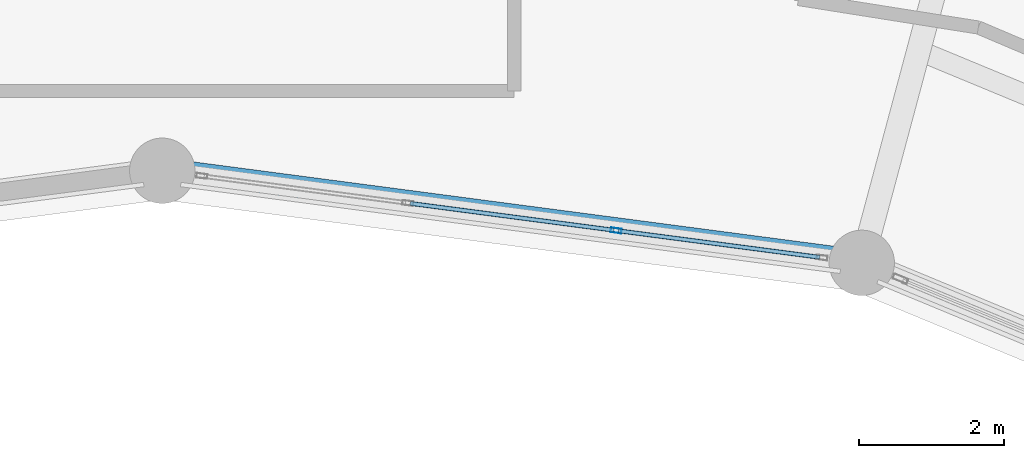
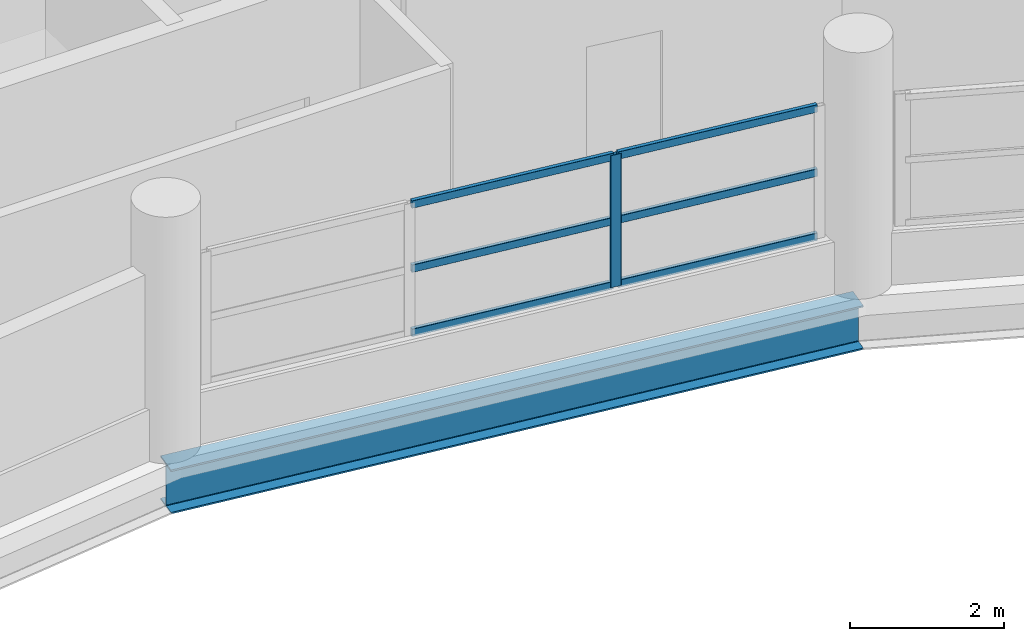
# One storey, part 51 of 88: 7 members, 1 beam, 1 element without a shape of its own.
"""IFC4 building model written with IfcOpenShell, lengths in metres."""

import ifcopenshell
import ifcopenshell.guid

model = None  # the IFC model being written
_history = None  # IfcOwnerHistory: only IFC2X3 demands one
_inside = {}  # id of a spatial element -> (the spatial element, [elements in it])
_under = {}  # id of a project, library or spatial element -> (it, [spatial elements below it])
_declared = {}  # id of a project -> (the project, [libraries it declares])
_typed = {}  # id of a type object -> (the type object, [elements of that type])
_made_of = {}  # id of a material, layer set ... -> (it, [elements and type objects made of it])


def new_model(schema):
    """Start an empty IFC model of exactly this schema.

    Asked for "IFC4X3", IfcOpenShell would pick the latest addendum, in which some entities
    have other attributes; the version numbers below select the first issue.
    IFC2X3 requires an IfcOwnerHistory on every rooted entity: one is made here for all.
    """
    global model, _history
    if schema == "IFC4X3":
        model = ifcopenshell.file(schema_version=(4, 3, 0, 0))
    else:
        model = ifcopenshell.file(schema=schema)
    _inside.clear()
    _under.clear()
    _declared.clear()
    _typed.clear()
    _made_of.clear()
    _history = None
    if model.schema == "IFC2X3":
        org = make("IfcOrganization", Name="unknown")
        user = make(
            "IfcPersonAndOrganization",
            ThePerson=make("IfcPerson", FamilyName="unknown"),
            TheOrganization=org,
        )
        app = make(
            "IfcApplication",
            ApplicationDeveloper=org,
            Version="unknown",
            ApplicationFullName="unknown",
            ApplicationIdentifier="unknown",
        )
        _history = make(
            "IfcOwnerHistory",
            OwningUser=user,
            OwningApplication=app,
            ChangeAction="ADDED",
            CreationDate=0,
        )
    return model


def make(cls, **values):
    """One entity of the class cls with the attributes given. An attribute that is None is left unset."""
    return model.create_entity(
        cls, **{name: value for name, value in values.items() if value is not None}
    )


def rooted(cls, **values):
    """An entity with a GlobalId (a new one), such as an element, a storey or a relation."""
    return make(cls, GlobalId=ifcopenshell.guid.new(), OwnerHistory=_history, **values)


def si_unit(unit_type, name, prefix=None):
    """IfcSIUnit, for example si_unit("LENGTHUNIT", "METRE", prefix="MILLI")."""
    return make("IfcSIUnit", UnitType=unit_type, Prefix=prefix, Name=name)


def assignment(units):
    """IfcUnitAssignment: the units of a project."""
    return None if units is None else make("IfcUnitAssignment", Units=units)


def point(xyz):
    """IfcCartesianPoint."""
    return None if xyz is None else make("IfcCartesianPoint", Coordinates=xyz)


def direction(xyz):
    """IfcDirection."""
    return None if xyz is None else make("IfcDirection", DirectionRatios=xyz)


def frame(location, z_axis=None, x_axis=None):
    """IfcAxis2Placement3D, a coordinate frame: its origin and axes. An axis left out is left unset."""
    return make(
        "IfcAxis2Placement3D",
        Location=point(location),
        Axis=direction(z_axis),
        RefDirection=direction(x_axis),
    )


def frame_2d(location, x_axis=None):
    """IfcAxis2Placement2D, a coordinate frame in the plane: its origin and x axis."""
    return make(
        "IfcAxis2Placement2D", Location=point(location), RefDirection=direction(x_axis)
    )


def origin():
    """The frame at (0, 0, 0) with its axes left unset."""
    return frame((0.0, 0.0, 0.0))


def origin_2d():
    """The frame at (0, 0) in the plane with its x axis left unset."""
    return frame_2d((0.0, 0.0))


def place(relative_to, where):
    """IfcLocalPlacement: puts the frame where relative to a parent placement (None: the world)."""
    return make(
        "IfcLocalPlacement", PlacementRelTo=relative_to, RelativePlacement=where
    )


def context(
    kind, dimensions, precision=None, world=None, true_north=None, identifier=None
):
    """IfcGeometricRepresentationContext, for example the 3D "Model" context."""
    return make(
        "IfcGeometricRepresentationContext",
        ContextIdentifier=identifier,
        ContextType=kind,
        CoordinateSpaceDimension=dimensions,
        Precision=precision,
        WorldCoordinateSystem=world,
        TrueNorth=true_north,
    )


def subcontext(parent, identifier, kind, view, scale=None):
    """IfcGeometricRepresentationSubContext, for example "Body" below "Model"."""
    return make(
        "IfcGeometricRepresentationSubContext",
        ContextIdentifier=identifier,
        ContextType=kind,
        ParentContext=parent,
        TargetScale=scale,
        TargetView=view,
    )


def project(units=None, contexts=None):
    """IfcProject with its units and contexts."""
    return rooted(
        "IfcProject",
        Name="project",
        RepresentationContexts=contexts,
        UnitsInContext=assignment(units),
    )


def spatial(cls, under=None, at=None, **own):
    """A site, building, storey or space (cls), placed at a placement, below another one or the project."""
    s = rooted(cls, ObjectPlacement=at, **own)
    if under is not None:
        _under.setdefault(under.id(), (under, []))[1].append(s)
    return s


def profile(cls, at=None, kind="AREA", **sizes):
    """A parametric profile (cls). Its sizes go by their IFC names, for example OverallWidth=200.0."""
    return make(cls, ProfileType=kind, Position=at, **sizes)


def hollow_rectangle(**sizes):
    """IfcRectangleHollowProfileDef."""
    return profile("IfcRectangleHollowProfileDef", **sizes)


def i_section(**sizes):
    """IfcIShapeProfileDef."""
    return profile("IfcIShapeProfileDef", **sizes)


def extrude(swept, where, along, depth):
    """IfcExtrudedAreaSolid: the profile swept, set in the frame where, extruded along a direction by depth."""
    return make(
        "IfcExtrudedAreaSolid",
        SweptArea=swept,
        Position=where,
        ExtrudedDirection=direction(along),
        Depth=depth,
    )


def shape(context_of_items, identifier, shape_type, items):
    """IfcShapeRepresentation: the items that make up one representation, for example the "Body"."""
    return make(
        "IfcShapeRepresentation",
        ContextOfItems=context_of_items,
        RepresentationIdentifier=identifier,
        RepresentationType=shape_type,
        Items=items,
    )


def material(Name=None, Category=None):
    """IfcMaterial."""
    return make("IfcMaterial", Name=Name, Category=Category)


def layer(
    of_material, thickness, ventilated=None, Name=None, Category=None, Priority=None
):
    """IfcMaterialLayer: one layer of a wall or slab, of a material (None: an air gap)."""
    return make(
        "IfcMaterialLayer",
        Material=of_material,
        LayerThickness=thickness,
        IsVentilated=ventilated,
        Name=Name,
        Category=Category,
        Priority=Priority,
    )


def layer_set(layers, Name=None):
    """IfcMaterialLayerSet."""
    return make("IfcMaterialLayerSet", MaterialLayers=layers, LayerSetName=Name)


def material_profile(
    of_material, cross_section, Name=None, Category=None, Priority=None
):
    """IfcMaterialProfile: a cross section and its material."""
    return make(
        "IfcMaterialProfile",
        Name=Name,
        Material=of_material,
        Profile=cross_section,
        Priority=Priority,
        Category=Category,
    )


def profile_set(profiles, Name=None, composite=None):
    """IfcMaterialProfileSet."""
    return make(
        "IfcMaterialProfileSet",
        Name=Name,
        MaterialProfiles=profiles,
        CompositeProfile=composite,
    )


def made_of(thing, what):
    """Note that an element or type object is made of a material, layer set ...; save() writes the relation."""
    if what is not None:
        _made_of.setdefault(what.id(), (what, []))[1].append(thing)
    return thing


def type_object(cls, material=None, **own):
    """A type object (cls), such as IfcWallType, which elements share."""
    return made_of(rooted(cls, **own), material)


def element(
    cls,
    number,
    at=None,
    inside=None,
    cuts=None,
    type_object=None,
    material=None,
    context=None,
    identifier="Body",
    shape_type=None,
    held_by="IfcProductDefinitionShape",
    body=None,
    shapes=None,
    **own,
):
    """One element of the class cls, such as IfcWall. Its Tag is "e" and its number.

    at: its placement. inside: the storey or other place that contains it. cuts: it is an
    opening in that element (IfcRelVoidsElement). A single representation is given by context,
    identifier, shape_type and body (its items); several are given by shapes. held_by: the class
    of the entity that holds the representations. save() writes the other relations.
    """
    e = rooted(cls, Tag="e%d" % number, ObjectPlacement=at, **own)
    if body is not None:
        shapes = [shape(context, identifier, shape_type, body)]
    if shapes is not None:
        e.Representation = make(held_by, Representations=shapes)
    if inside is not None:
        _inside.setdefault(inside.id(), (inside, []))[1].append(e)
    if cuts is not None:
        rooted(
            "IfcRelVoidsElement", RelatingBuildingElement=cuts, RelatedOpeningElement=e
        )
    if type_object is not None:
        _typed.setdefault(type_object.id(), (type_object, []))[1].append(e)
    return made_of(e, material)


def aggregate(whole, parts):
    """IfcRelAggregates: a whole, such as a stair, and the parts it consists of."""
    return rooted("IfcRelAggregates", RelatingObject=whole, RelatedObjects=parts)


def save(model, path):
    """Write the relations noted so far, then the file.

    IfcRelAggregates (storeys below a building ...), IfcRelContainedInSpatialStructure (elements
    in a storey), IfcRelDefinesByType, IfcRelAssociatesMaterial and IfcRelDeclares: one each for
    every whole, place, type object, material and project.
    """
    for whole, parts in _under.values():
        aggregate(whole, parts)
    for where, things in _inside.values():
        rooted(
            "IfcRelContainedInSpatialStructure",
            RelatedElements=things,
            RelatingStructure=where,
        )
    for kind, things in _typed.values():
        rooted("IfcRelDefinesByType", RelatedObjects=things, RelatingType=kind)
    for what, things in _made_of.values():
        rooted("IfcRelAssociatesMaterial", RelatedObjects=things, RelatingMaterial=what)
    for by, libraries in _declared.values():
        rooted("IfcRelDeclares", RelatingContext=by, RelatedDefinitions=libraries)
    model.write(path)


model = new_model("IFC4")

# Units and contexts
model_context = context("Model", 3, precision=1e-05, world=origin(), true_north=direction((0.0, 1.0)))
body_context = subcontext(model_context, "Body", "Model", "MODEL_VIEW")
ifc_project = project(units=[si_unit("LENGTHUNIT", "METRE"), si_unit("AREAUNIT", "SQUARE_METRE"), si_unit("VOLUMEUNIT", "CUBIC_METRE"), si_unit("PLANEANGLEUNIT", "RADIAN"), si_unit("MASSUNIT", "GRAM", prefix="KILO")], contexts=[model_context])

# Site, building, storey
site_placement = place(None, origin())
site = spatial("IfcSite", under=ifc_project, at=site_placement, CompositionType="ELEMENT")
building_placement = place(site_placement, origin())
building = spatial("IfcBuilding", under=site, at=building_placement, Name="Vespera Passage Community Centre", CompositionType="ELEMENT")
storey_placement = place(building_placement, frame((0.0, 0.0, 16.5)))
storey = spatial("IfcBuildingStorey", under=building, at=storey_placement, Name="L04", CompositionType="ELEMENT", Elevation=16.5)

# Beam
ifc_material_1 = material(Name="Steel ASTM A992 Grade 50", Category="steel")
ifc_material_profile_1 = material_profile(ifc_material_1, i_section(OverallWidth=0.3544921875, OverallDepth=0.695556640625, WebThickness=0.015380859375, FlangeThickness=0.024658203125, FilletRadius=0.01513671875, at=origin_2d()), Name="W27X146")
ifc_profile_set_1 = profile_set([ifc_material_profile_1], Name="Steel ASTM A992 Grade 50")
beam_type = type_object("IfcBeamType", Name="BM-SP-W27X146E", PredefinedType="SPANDREL", material=ifc_profile_set_1)
beam_placement = place(storey_placement, frame((87.628173828125, 101.432373046875, -0.647705078125), z_axis=(-0.991444794834, 0.130526697639, 0.0), x_axis=(-0.130526697639, -0.991444794834, 0.0)))
element("IfcBeam", 1, at=beam_placement, inside=storey, type_object=beam_type, Name="V4 L04 Inner Spandrel 5", PredefinedType="SPANDREL", context=body_context, shape_type="SweptSolid", body=[
    extrude(i_section(OverallWidth=0.3544921875, OverallDepth=0.695556640625, WebThickness=0.015380859375, FlangeThickness=0.024658203125, FilletRadius=0.01513671875, at=origin_2d()), origin(), (0.0, 0.0, 1.0), 9.711181640625),
])

# Curtain wall, members
ifc_material_2 = material(Name="Anodized aluminium 6063-T6", Category="aluminium")
ifc_layer = layer(ifc_material_2, 0.159912109375)
ifc_layer_set = layer_set([ifc_layer], Name="Anodized aluminium 6063-T6")
curtain_wall_type = type_object("IfcCurtainWallType", Name="CW-58E", PredefinedType="NOTDEFINED", material=ifc_layer_set)
curtain_wall_placement = place(storey_placement, origin())
curtain_wall = element("IfcCurtainWall", 2, at=curtain_wall_placement, inside=storey, type_object=curtain_wall_type, Name="V4 L04 Inner Court Curtain Wall 5", PredefinedType="NOTDEFINED")
ifc_material_3 = material(Name="Anodized aluminium 6063-T6", Category="aluminium")
ifc_material_profile_2 = material_profile(ifc_material_3, hollow_rectangle(XDim=0.06494140625, YDim=0.14990234375, WallThickness=0.00390625, InnerFilletRadius=0.001953125, OuterFilletRadius=0.00390625, at=origin_2d()), Name="ALU150X65X4")
ifc_profile_set_2 = profile_set([ifc_material_profile_2], Name="Anodized aluminium 6063-T6")
member_type_1 = type_object("IfcMemberType", Name="MB-CWM-150E", PredefinedType="MULLION", material=ifc_profile_set_2)
member_1_placement = place(storey_placement, frame((84.24755859375, 101.87744140625, 0.820068359375), z_axis=(0.0, 0.0, 1.0), x_axis=(-0.1305221941, -0.991445387728, 0.0)))
member_1 = element("IfcMember", 3, at=member_1_placement, type_object=member_type_1, Name="CW-58E mullion 2", PredefinedType="MULLION", context=body_context, shape_type="SweptSolid", body=[
    extrude(hollow_rectangle(XDim=0.06494140625, YDim=0.14990234375, WallThickness=0.00390625, InnerFilletRadius=0.001953125, OuterFilletRadius=0.00390625, at=origin_2d()), origin(), (0.0, 0.0, 1.0), 2.08935546875),
])
ifc_material_4 = material(Name="Anodized aluminium 6063-T6", Category="aluminium")
ifc_material_profile_3 = material_profile(ifc_material_4, hollow_rectangle(XDim=0.06005859375, YDim=0.1201171875, WallThickness=0.00390625, InnerFilletRadius=0.001953125, OuterFilletRadius=0.00390625, at=origin_2d()), Name="ALU120X60X4")
ifc_profile_set_3 = profile_set([ifc_material_profile_3], Name="Anodized aluminium 6063-T6")
member_type_2 = type_object("IfcMemberType", Name="MB-CWT-120E", PredefinedType="USERDEFINED", material=ifc_profile_set_3)
member_2_placement = place(storey_placement, frame((87.050537109375, 101.508544921875, 0.85009765625), z_axis=(-0.991446265366, 0.130515527399, 0.0), x_axis=(-0.130515527399, -0.991446265366, 0.0)))
member_2 = element("IfcMember", 4, at=member_2_placement, type_object=member_type_2, Name="CW-58E transom 1.1", ObjectType="TRANSOM", PredefinedType="USERDEFINED", context=body_context, shape_type="SweptSolid", body=[
    extrude(hollow_rectangle(XDim=0.06005859375, YDim=0.1201171875, WallThickness=0.00390625, InnerFilletRadius=0.001953125, OuterFilletRadius=0.00390625, at=origin_2d()), origin(), (0.0, 0.0, 1.0), 2.794677734375),
])
member_3_placement = place(storey_placement, frame((87.050537109375, 101.508544921875, 1.86474609375), z_axis=(-0.991446265366, 0.130515527399, 0.0), x_axis=(-0.130515527399, -0.991446265366, 0.0)))
member_3 = element("IfcMember", 5, at=member_3_placement, type_object=member_type_2, Name="CW-58E transom 1.2", ObjectType="TRANSOM", PredefinedType="USERDEFINED", context=body_context, shape_type="SweptSolid", body=[
    extrude(hollow_rectangle(XDim=0.06005859375, YDim=0.1201171875, WallThickness=0.00390625, InnerFilletRadius=0.001953125, OuterFilletRadius=0.00390625, at=origin_2d()), origin(), (0.0, 0.0, 1.0), 2.794677734375),
])
member_4_placement = place(storey_placement, frame((87.050537109375, 101.508544921875, 2.87939453125), z_axis=(-0.991446265366, 0.130515527399, 0.0), x_axis=(-0.130515527399, -0.991446265366, 0.0)))
member_4 = element("IfcMember", 6, at=member_4_placement, type_object=member_type_2, Name="CW-58E transom 1.3", ObjectType="TRANSOM", PredefinedType="USERDEFINED", context=body_context, shape_type="SweptSolid", body=[
    extrude(hollow_rectangle(XDim=0.06005859375, YDim=0.1201171875, WallThickness=0.00390625, InnerFilletRadius=0.001953125, OuterFilletRadius=0.00390625, at=origin_2d()), origin(), (0.0, 0.0, 1.0), 2.794677734375),
])
member_5_placement = place(storey_placement, frame((84.21533203125, 101.881591796875, 0.85009765625), z_axis=(-0.991437826512, 0.130579616175, 0.0), x_axis=(-0.130579616175, -0.991437826512, 0.0)))
member_5 = element("IfcMember", 7, at=member_5_placement, type_object=member_type_2, Name="CW-58E transom 2.1", ObjectType="TRANSOM", PredefinedType="USERDEFINED", context=body_context, shape_type="SweptSolid", body=[
    extrude(hollow_rectangle(XDim=0.06005859375, YDim=0.1201171875, WallThickness=0.00390625, InnerFilletRadius=0.001953125, OuterFilletRadius=0.00390625, at=origin_2d()), origin(), (0.0, 0.0, 1.0), 2.826904296875),
])
member_6_placement = place(storey_placement, frame((84.21533203125, 101.881591796875, 1.86474609375), z_axis=(-0.991437826512, 0.130579616175, 0.0), x_axis=(-0.130579616175, -0.991437826512, 0.0)))
member_6 = element("IfcMember", 8, at=member_6_placement, type_object=member_type_2, Name="CW-58E transom 2.2", ObjectType="TRANSOM", PredefinedType="USERDEFINED", context=body_context, shape_type="SweptSolid", body=[
    extrude(hollow_rectangle(XDim=0.06005859375, YDim=0.1201171875, WallThickness=0.00390625, InnerFilletRadius=0.001953125, OuterFilletRadius=0.00390625, at=origin_2d()), origin(), (0.0, 0.0, 1.0), 2.826904296875),
])
member_7_placement = place(storey_placement, frame((84.21533203125, 101.881591796875, 2.87939453125), z_axis=(-0.991437826512, 0.130579616175, 0.0), x_axis=(-0.130579616175, -0.991437826512, 0.0)))
member_7 = element("IfcMember", 9, at=member_7_placement, type_object=member_type_2, Name="CW-58E transom 2.3", ObjectType="TRANSOM", PredefinedType="USERDEFINED", context=body_context, shape_type="SweptSolid", body=[
    extrude(hollow_rectangle(XDim=0.06005859375, YDim=0.1201171875, WallThickness=0.00390625, InnerFilletRadius=0.001953125, OuterFilletRadius=0.00390625, at=origin_2d()), origin(), (0.0, 0.0, 1.0), 2.826904296875),
])
aggregate(curtain_wall, [member_1, member_2, member_3, member_4, member_5, member_6, member_7])

save(model, "model.ifc")
